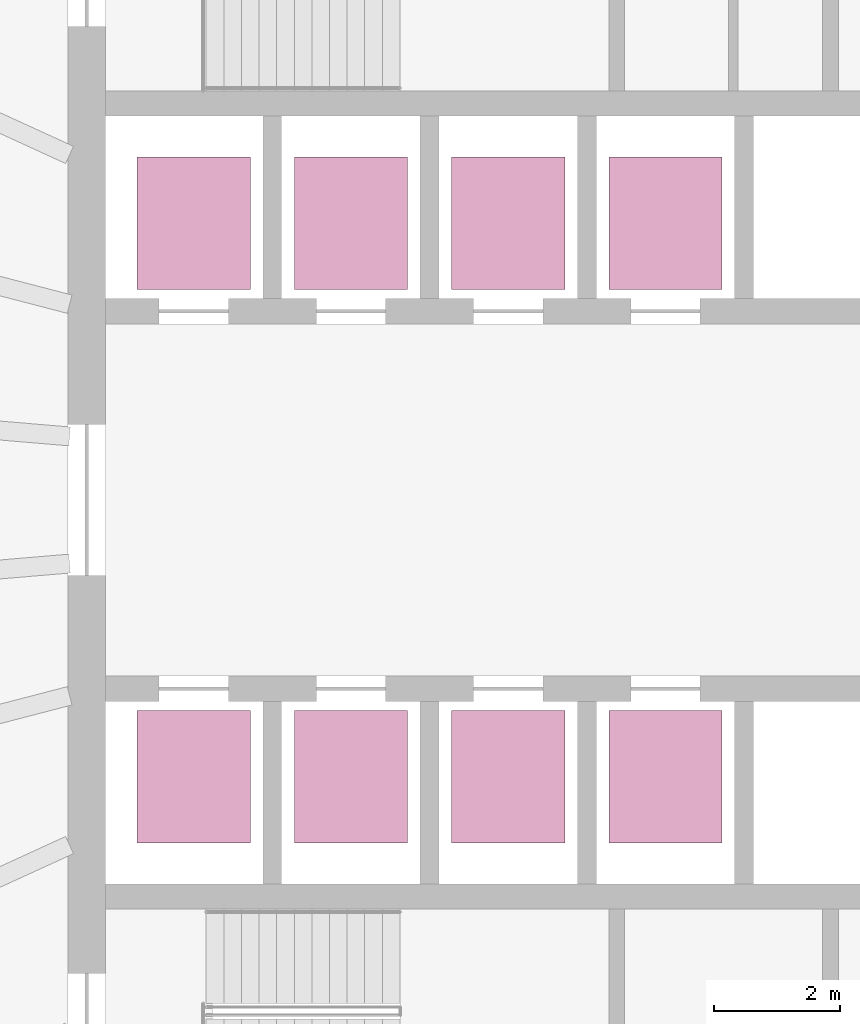
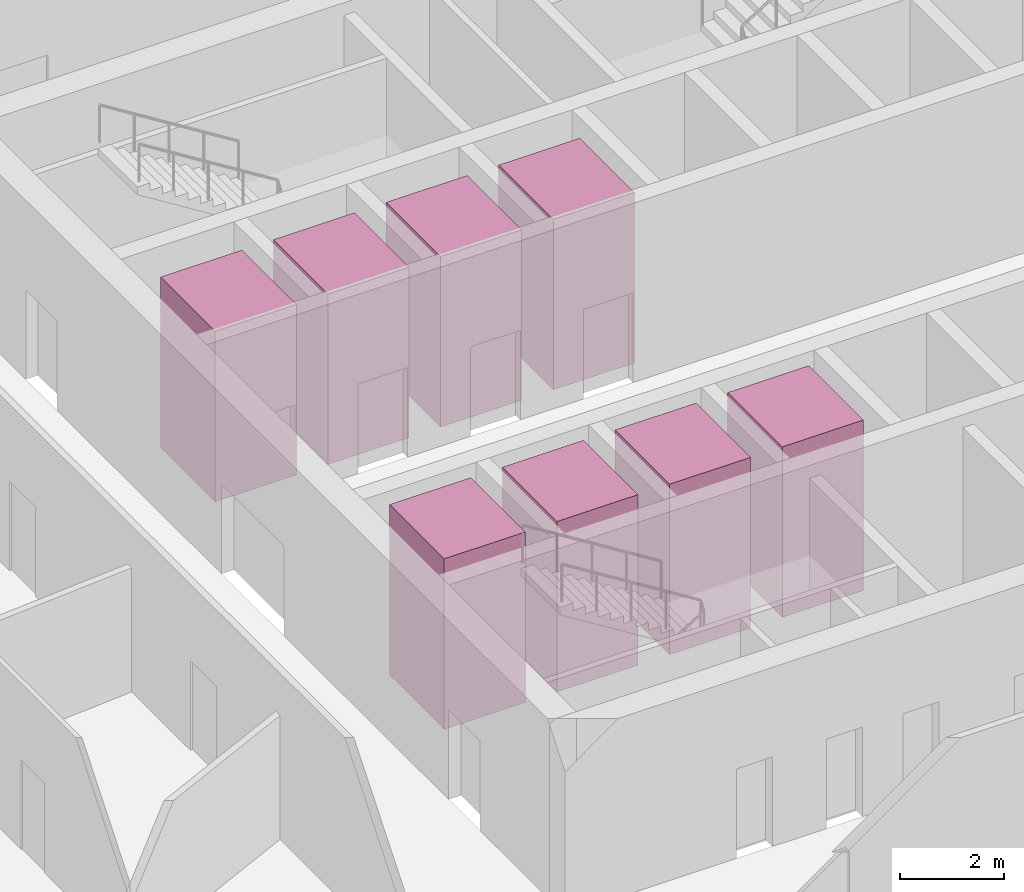
# One storey, part 10 of 10: 8 transport elements.
"""IFC4 building model written with IfcOpenShell, lengths in metres."""

import ifcopenshell
import ifcopenshell.guid

model = None  # the IFC model being written
_history = None  # IfcOwnerHistory: only IFC2X3 demands one
_inside = {}  # id of a spatial element -> (the spatial element, [elements in it])
_under = {}  # id of a project, library or spatial element -> (it, [spatial elements below it])
_declared = {}  # id of a project -> (the project, [libraries it declares])
_typed = {}  # id of a type object -> (the type object, [elements of that type])
_made_of = {}  # id of a material, layer set ... -> (it, [elements and type objects made of it])


def new_model(schema):
    """Start an empty IFC model of exactly this schema.

    Asked for "IFC4X3", IfcOpenShell would pick the latest addendum, in which some entities
    have other attributes; the version numbers below select the first issue.
    IFC2X3 requires an IfcOwnerHistory on every rooted entity: one is made here for all.
    """
    global model, _history
    if schema == "IFC4X3":
        model = ifcopenshell.file(schema_version=(4, 3, 0, 0))
    else:
        model = ifcopenshell.file(schema=schema)
    _inside.clear()
    _under.clear()
    _declared.clear()
    _typed.clear()
    _made_of.clear()
    _history = None
    if model.schema == "IFC2X3":
        org = make("IfcOrganization", Name="unknown")
        user = make(
            "IfcPersonAndOrganization",
            ThePerson=make("IfcPerson", FamilyName="unknown"),
            TheOrganization=org,
        )
        app = make(
            "IfcApplication",
            ApplicationDeveloper=org,
            Version="unknown",
            ApplicationFullName="unknown",
            ApplicationIdentifier="unknown",
        )
        _history = make(
            "IfcOwnerHistory",
            OwningUser=user,
            OwningApplication=app,
            ChangeAction="ADDED",
            CreationDate=0,
        )
    return model


def make(cls, **values):
    """One entity of the class cls with the attributes given. An attribute that is None is left unset."""
    return model.create_entity(
        cls, **{name: value for name, value in values.items() if value is not None}
    )


def rooted(cls, **values):
    """An entity with a GlobalId (a new one), such as an element, a storey or a relation."""
    return make(cls, GlobalId=ifcopenshell.guid.new(), OwnerHistory=_history, **values)


def si_unit(unit_type, name, prefix=None):
    """IfcSIUnit, for example si_unit("LENGTHUNIT", "METRE", prefix="MILLI")."""
    return make("IfcSIUnit", UnitType=unit_type, Prefix=prefix, Name=name)


def assignment(units):
    """IfcUnitAssignment: the units of a project."""
    return None if units is None else make("IfcUnitAssignment", Units=units)


def point(xyz):
    """IfcCartesianPoint."""
    return None if xyz is None else make("IfcCartesianPoint", Coordinates=xyz)


def direction(xyz):
    """IfcDirection."""
    return None if xyz is None else make("IfcDirection", DirectionRatios=xyz)


def frame(location, z_axis=None, x_axis=None):
    """IfcAxis2Placement3D, a coordinate frame: its origin and axes. An axis left out is left unset."""
    return make(
        "IfcAxis2Placement3D",
        Location=point(location),
        Axis=direction(z_axis),
        RefDirection=direction(x_axis),
    )


def frame_2d(location, x_axis=None):
    """IfcAxis2Placement2D, a coordinate frame in the plane: its origin and x axis."""
    return make(
        "IfcAxis2Placement2D", Location=point(location), RefDirection=direction(x_axis)
    )


def origin():
    """The frame at (0, 0, 0) with its axes left unset."""
    return frame((0.0, 0.0, 0.0))


def origin_2d():
    """The frame at (0, 0) in the plane with its x axis left unset."""
    return frame_2d((0.0, 0.0))


def place(relative_to, where):
    """IfcLocalPlacement: puts the frame where relative to a parent placement (None: the world)."""
    return make(
        "IfcLocalPlacement", PlacementRelTo=relative_to, RelativePlacement=where
    )


def context(
    kind, dimensions, precision=None, world=None, true_north=None, identifier=None
):
    """IfcGeometricRepresentationContext, for example the 3D "Model" context."""
    return make(
        "IfcGeometricRepresentationContext",
        ContextIdentifier=identifier,
        ContextType=kind,
        CoordinateSpaceDimension=dimensions,
        Precision=precision,
        WorldCoordinateSystem=world,
        TrueNorth=true_north,
    )


def subcontext(parent, identifier, kind, view, scale=None):
    """IfcGeometricRepresentationSubContext, for example "Body" below "Model"."""
    return make(
        "IfcGeometricRepresentationSubContext",
        ContextIdentifier=identifier,
        ContextType=kind,
        ParentContext=parent,
        TargetScale=scale,
        TargetView=view,
    )


def project(units=None, contexts=None):
    """IfcProject with its units and contexts."""
    return rooted(
        "IfcProject",
        Name="project",
        RepresentationContexts=contexts,
        UnitsInContext=assignment(units),
    )


def spatial(cls, under=None, at=None, **own):
    """A site, building, storey or space (cls), placed at a placement, below another one or the project."""
    s = rooted(cls, ObjectPlacement=at, **own)
    if under is not None:
        _under.setdefault(under.id(), (under, []))[1].append(s)
    return s


def profile(cls, at=None, kind="AREA", **sizes):
    """A parametric profile (cls). Its sizes go by their IFC names, for example OverallWidth=200.0."""
    return make(cls, ProfileType=kind, Position=at, **sizes)


def rectangle(**sizes):
    """IfcRectangleProfileDef."""
    return profile("IfcRectangleProfileDef", **sizes)


def extrude(swept, where, along, depth):
    """IfcExtrudedAreaSolid: the profile swept, set in the frame where, extruded along a direction by depth."""
    return make(
        "IfcExtrudedAreaSolid",
        SweptArea=swept,
        Position=where,
        ExtrudedDirection=direction(along),
        Depth=depth,
    )


def shape(context_of_items, identifier, shape_type, items):
    """IfcShapeRepresentation: the items that make up one representation, for example the "Body"."""
    return make(
        "IfcShapeRepresentation",
        ContextOfItems=context_of_items,
        RepresentationIdentifier=identifier,
        RepresentationType=shape_type,
        Items=items,
    )


def material(Name=None, Category=None):
    """IfcMaterial."""
    return make("IfcMaterial", Name=Name, Category=Category)


def made_of(thing, what):
    """Note that an element or type object is made of a material, layer set ...; save() writes the relation."""
    if what is not None:
        _made_of.setdefault(what.id(), (what, []))[1].append(thing)
    return thing


def type_object(cls, material=None, **own):
    """A type object (cls), such as IfcWallType, which elements share."""
    return made_of(rooted(cls, **own), material)


def element(
    cls,
    number,
    at=None,
    inside=None,
    cuts=None,
    type_object=None,
    material=None,
    context=None,
    identifier="Body",
    shape_type=None,
    held_by="IfcProductDefinitionShape",
    body=None,
    shapes=None,
    **own,
):
    """One element of the class cls, such as IfcWall. Its Tag is "e" and its number.

    at: its placement. inside: the storey or other place that contains it. cuts: it is an
    opening in that element (IfcRelVoidsElement). A single representation is given by context,
    identifier, shape_type and body (its items); several are given by shapes. held_by: the class
    of the entity that holds the representations. save() writes the other relations.
    """
    e = rooted(cls, Tag="e%d" % number, ObjectPlacement=at, **own)
    if body is not None:
        shapes = [shape(context, identifier, shape_type, body)]
    if shapes is not None:
        e.Representation = make(held_by, Representations=shapes)
    if inside is not None:
        _inside.setdefault(inside.id(), (inside, []))[1].append(e)
    if cuts is not None:
        rooted(
            "IfcRelVoidsElement", RelatingBuildingElement=cuts, RelatedOpeningElement=e
        )
    if type_object is not None:
        _typed.setdefault(type_object.id(), (type_object, []))[1].append(e)
    return made_of(e, material)


def aggregate(whole, parts):
    """IfcRelAggregates: a whole, such as a stair, and the parts it consists of."""
    return rooted("IfcRelAggregates", RelatingObject=whole, RelatedObjects=parts)


def save(model, path):
    """Write the relations noted so far, then the file.

    IfcRelAggregates (storeys below a building ...), IfcRelContainedInSpatialStructure (elements
    in a storey), IfcRelDefinesByType, IfcRelAssociatesMaterial and IfcRelDeclares: one each for
    every whole, place, type object, material and project.
    """
    for whole, parts in _under.values():
        aggregate(whole, parts)
    for where, things in _inside.values():
        rooted(
            "IfcRelContainedInSpatialStructure",
            RelatedElements=things,
            RelatingStructure=where,
        )
    for kind, things in _typed.values():
        rooted("IfcRelDefinesByType", RelatedObjects=things, RelatingType=kind)
    for what, things in _made_of.values():
        rooted("IfcRelAssociatesMaterial", RelatedObjects=things, RelatingMaterial=what)
    for by, libraries in _declared.values():
        rooted("IfcRelDeclares", RelatingContext=by, RelatedDefinitions=libraries)
    model.write(path)


model = new_model("IFC4")

# Units and contexts
model_context = context("Model", 3, precision=1e-05, world=origin(), true_north=direction((0.0, 1.0)))
body_context = subcontext(model_context, "Body", "Model", "MODEL_VIEW")
ifc_project = project(units=[si_unit("LENGTHUNIT", "METRE"), si_unit("AREAUNIT", "SQUARE_METRE"), si_unit("VOLUMEUNIT", "CUBIC_METRE"), si_unit("PLANEANGLEUNIT", "RADIAN"), si_unit("MASSUNIT", "GRAM", prefix="KILO")], contexts=[model_context])

# Site, building, storey
site_placement = place(None, origin())
site = spatial("IfcSite", under=ifc_project, at=site_placement, CompositionType="ELEMENT")
building_placement = place(site_placement, origin())
building = spatial("IfcBuilding", under=site, at=building_placement, Name="Halqa Exchange Tower", CompositionType="ELEMENT")
storey_placement = place(building_placement, frame((0.0, 0.0, 125.5)))
storey = spatial("IfcBuildingStorey", under=building, at=storey_placement, Name="L28", CompositionType="ELEMENT", Elevation=125.5)

# Transport elements
ifc_material = material(Name="Stainless steel", Category="steel")
transport_element_type = type_object("IfcTransportElementType", Name="Low-rise passenger lift 1800 x 2100", PredefinedType="ELEVATOR", material=ifc_material)
for number, where, z_axis, x_axis, name in (
    (1, (-10.0, 4.39990234375, 0.0), (0.0, 0.0, 1.0), (1.0, 0.0, 0.0), "Low-rise passenger lift LR1"),
    (2, (-7.5, 4.39990234375, 0.0), (0.0, 0.0, 1.0), (1.0, 0.0, 0.0), "Low-rise passenger lift LR2"),
    (3, (-5.0, 4.39990234375, 0.0), (0.0, 0.0, 1.0), (1.0, 0.0, 0.0), "Low-rise passenger lift LR3"),
    (4, (-2.5, 4.39990234375, 0.0), (0.0, 0.0, 1.0), (1.0, 0.0, 0.0), "Low-rise passenger lift LR4"),
    (5, (-10.0, -4.39990234375, 0.0), (0.0, 0.0, 1.0), (1.0, 0.0, 0.0), "Low-rise passenger lift LR5"),
    (6, (-7.5, -4.39990234375, 0.0), (0.0, 0.0, 1.0), (1.0, 0.0, 0.0), "Low-rise passenger lift LR6"),
    (7, (-5.0, -4.39990234375, 0.0), (0.0, 0.0, 1.0), (1.0, 0.0, 0.0), "Low-rise passenger lift LR7"),
    (8, (-2.5, -4.39990234375, 0.0), (0.0, 0.0, 1.0), (1.0, 0.0, 0.0), "Low-rise passenger lift LR8"),
):
    element("IfcTransportElement", number, at=place(storey_placement, frame(where, z_axis=z_axis, x_axis=x_axis)), inside=storey, type_object=transport_element_type, Name=name, PredefinedType="ELEVATOR", context=body_context, shape_type="SweptSolid", body=[
        extrude(rectangle(XDim=1.800048828125, YDim=2.10009765625, at=origin_2d()), origin(), (0.0, 0.0, 1.0), 4.0),
    ])

save(model, "model.ifc")
